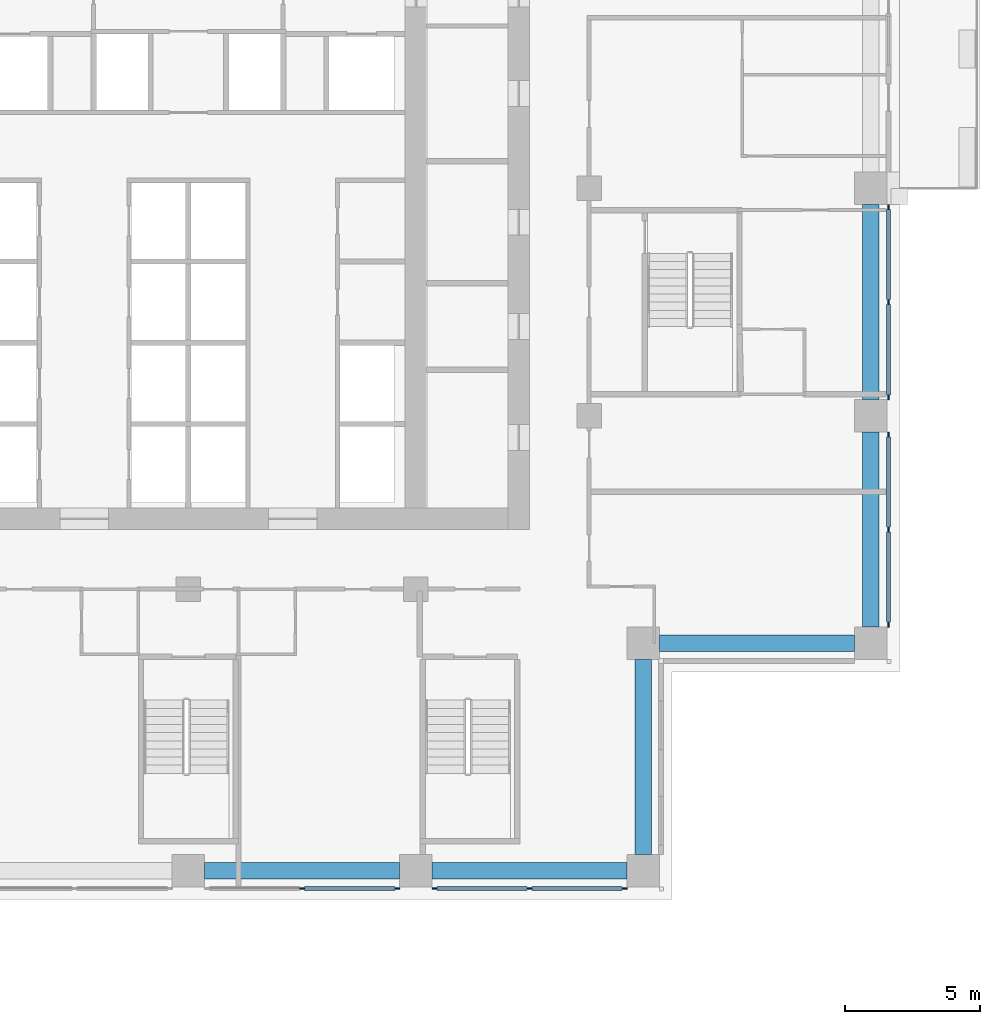
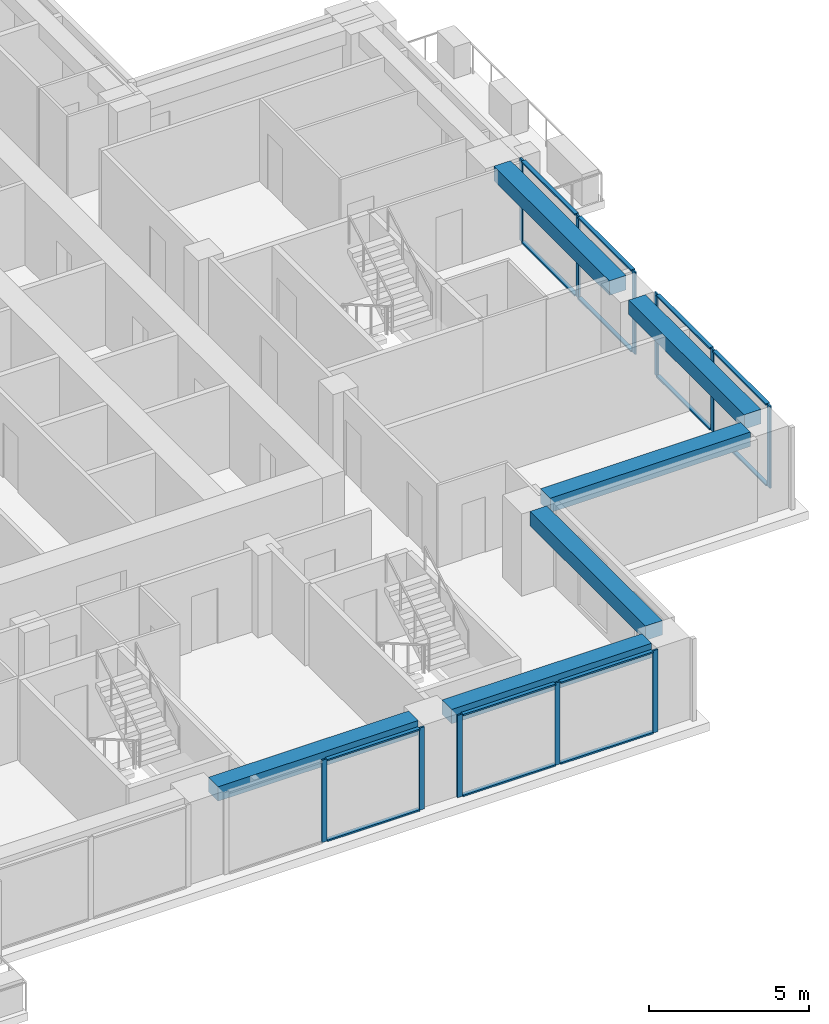
# One storey, part 4 of 17: 25 members, 6 beams, 4 elements without a shape of their own.
"""IFC4 building model written with IfcOpenShell, lengths in metres."""

from ifc_helpers import new_model, si_unit, direction, frame, origin, origin_2d, place, context, subcontext, project, spatial, rectangle, extrude, material, material_profile, profile_set, type_object, element, aggregate, save


model = new_model("IFC4")

# Units and contexts
model_context = context("Model", 3, precision=1e-05, world=origin(), true_north=direction((0.0, 1.0)))
body_context = subcontext(model_context, "Body", "Model", "MODEL_VIEW")
ifc_project = project(units=[si_unit("LENGTHUNIT", "METRE"), si_unit("AREAUNIT", "SQUARE_METRE"), si_unit("VOLUMEUNIT", "CUBIC_METRE"), si_unit("PLANEANGLEUNIT", "RADIAN"), si_unit("MASSUNIT", "GRAM", prefix="KILO")], contexts=[model_context])

# Site, building, storey
site_placement = place(None, origin())
site = spatial("IfcSite", under=ifc_project, at=site_placement, CompositionType="ELEMENT")
building_placement = place(site_placement, origin())
building = spatial("IfcBuilding", under=site, at=building_placement, Name="Vermilion Ogive Tower", CompositionType="ELEMENT")
storey_placement = place(building_placement, frame((0.0, 0.0, 87.300048828125)))
storey = spatial("IfcBuildingStorey", under=building, at=storey_placement, Name="L21", CompositionType="ELEMENT", Elevation=87.300048828125)

# Curtain wall, members
ifc_material_1 = material(Name="Low-iron laminated glazing in aluminium frame", Category="aluminium")
curtain_wall_type = type_object("IfcCurtainWallType", Name="Curtain wall CW7", PredefinedType="NOTDEFINED", material=ifc_material_1)
curtain_wall_1_placement = place(storey_placement, origin())
curtain_wall_1 = element("IfcCurtainWall", 1, at=curtain_wall_1_placement, inside=storey, type_object=curtain_wall_type, Name="Glazed skin S3", PredefinedType="NOTDEFINED")
ifc_material_2 = material(Name="Aluminium mullion", Category="aluminium")
ifc_material_profile_1 = material_profile(ifc_material_2, rectangle(XDim=0.06005859375, YDim=0.179931640625, at=origin_2d()), Name="AL 60x180")
ifc_profile_set_1 = profile_set([ifc_material_profile_1], Name="Aluminium mullion")
member_type_1 = type_object("IfcMemberType", Name="CW7 mullion 60x180", PredefinedType="MULLION", material=ifc_profile_set_1)
member_1_placement = place(storey_placement, frame((4.199951171875, -21.64990234375, 0.0), z_axis=(0.0, 0.0, 1.0), x_axis=(0.0, 1.0, 0.0)))
member_1 = element("IfcMember", 2, at=member_1_placement, type_object=member_type_1, Name="CW7-S3 mullion 2", PredefinedType="MULLION", context=body_context, shape_type="SweptSolid", body=[
    extrude(rectangle(XDim=0.06005859375, YDim=0.179931640625, at=origin_2d()), origin(), (0.0, 0.0, 1.0), 3.1298828125),
])
member_2_placement = place(storey_placement, frame((7.7099609375, -21.64990234375, 0.0), z_axis=(0.0, 0.0, 1.0), x_axis=(0.0, 1.0, 0.0)))
member_2 = element("IfcMember", 3, at=member_2_placement, type_object=member_type_1, Name="CW7-S3 mullion 3", PredefinedType="MULLION", context=body_context, shape_type="SweptSolid", body=[
    extrude(rectangle(XDim=0.06005859375, YDim=0.179931640625, at=origin_2d()), origin(), (0.0, 0.0, 1.0), 3.1298828125),
])

curtain_wall_2_placement = place(storey_placement, origin())
curtain_wall_2 = element("IfcCurtainWall", 4, at=curtain_wall_2_placement, inside=storey, type_object=curtain_wall_type, Name="Glazed skin S4", PredefinedType="NOTDEFINED")
member_3_placement = place(storey_placement, frame((9.090087890625, -21.64990234375, 0.0), z_axis=(0.0, 0.0, 1.0), x_axis=(0.0, 1.0, 0.0)))
member_3 = element("IfcMember", 5, at=member_3_placement, type_object=member_type_1, Name="CW7-S4 mullion 1", PredefinedType="MULLION", context=body_context, shape_type="SweptSolid", body=[
    extrude(rectangle(XDim=0.06005859375, YDim=0.179931640625, at=origin_2d()), origin(), (0.0, 0.0, 1.0), 3.1298828125),
])
member_4_placement = place(storey_placement, frame((12.60009765625, -21.64990234375, 0.0), z_axis=(0.0, 0.0, 1.0), x_axis=(0.0, 1.0, 0.0)))
member_4 = element("IfcMember", 6, at=member_4_placement, type_object=member_type_1, Name="CW7-S4 mullion 2", PredefinedType="MULLION", context=body_context, shape_type="SweptSolid", body=[
    extrude(rectangle(XDim=0.06005859375, YDim=0.179931640625, at=origin_2d()), origin(), (0.0, 0.0, 1.0), 3.1298828125),
])
member_5_placement = place(storey_placement, frame((16.110107421875, -21.64990234375, 0.0), z_axis=(0.0, 0.0, 1.0), x_axis=(0.0, 1.0, 0.0)))
member_5 = element("IfcMember", 7, at=member_5_placement, type_object=member_type_1, Name="CW7-S4 mullion 3", PredefinedType="MULLION", context=body_context, shape_type="SweptSolid", body=[
    extrude(rectangle(XDim=0.06005859375, YDim=0.179931640625, at=origin_2d()), origin(), (0.0, 0.0, 1.0), 3.1298828125),
])

curtain_wall_3_placement = place(storey_placement, origin())
curtain_wall_3 = element("IfcCurtainWall", 8, at=curtain_wall_3_placement, inside=storey, type_object=curtain_wall_type, Name="Glazed skin E1", PredefinedType="NOTDEFINED")
member_6_placement = place(storey_placement, frame((25.85009765625, -11.909912109375, 0.0), z_axis=(0.0, 0.0, 1.0), x_axis=(-1.0, 0.0, 0.0)))
member_6 = element("IfcMember", 9, at=member_6_placement, type_object=member_type_1, Name="CW7-E1 mullion 1", PredefinedType="MULLION", context=body_context, shape_type="SweptSolid", body=[
    extrude(rectangle(XDim=0.06005859375, YDim=0.179931640625, at=origin_2d()), origin(), (0.0, 0.0, 1.0), 3.1298828125),
])
member_7_placement = place(storey_placement, frame((25.85009765625, -8.39990234375, 0.0), z_axis=(0.0, 0.0, 1.0), x_axis=(-1.0, 0.0, 0.0)))
member_7 = element("IfcMember", 10, at=member_7_placement, type_object=member_type_1, Name="CW7-E1 mullion 2", PredefinedType="MULLION", context=body_context, shape_type="SweptSolid", body=[
    extrude(rectangle(XDim=0.06005859375, YDim=0.179931640625, at=origin_2d()), origin(), (0.0, 0.0, 1.0), 3.1298828125),
])
member_8_placement = place(storey_placement, frame((25.85009765625, -4.889892578125, 0.0), z_axis=(0.0, 0.0, 1.0), x_axis=(-1.0, 0.0, 0.0)))
member_8 = element("IfcMember", 11, at=member_8_placement, type_object=member_type_1, Name="CW7-E1 mullion 3", PredefinedType="MULLION", context=body_context, shape_type="SweptSolid", body=[
    extrude(rectangle(XDim=0.06005859375, YDim=0.179931640625, at=origin_2d()), origin(), (0.0, 0.0, 1.0), 3.1298828125),
])

curtain_wall_4_placement = place(storey_placement, origin())
curtain_wall_4 = element("IfcCurtainWall", 12, at=curtain_wall_4_placement, inside=storey, type_object=curtain_wall_type, Name="Glazed skin E2", PredefinedType="NOTDEFINED")
member_9_placement = place(storey_placement, frame((25.85009765625, -3.510009765625, 0.0), z_axis=(0.0, 0.0, 1.0), x_axis=(-1.0, 0.0, 0.0)))
member_9 = element("IfcMember", 13, at=member_9_placement, type_object=member_type_1, Name="CW7-E2 mullion 1", PredefinedType="MULLION", context=body_context, shape_type="SweptSolid", body=[
    extrude(rectangle(XDim=0.06005859375, YDim=0.179931640625, at=origin_2d()), origin(), (0.0, 0.0, 1.0), 3.1298828125),
])
member_10_placement = place(storey_placement, frame((25.85009765625, 0.0, 0.0), z_axis=(0.0, 0.0, 1.0), x_axis=(-1.0, 0.0, 0.0)))
member_10 = element("IfcMember", 14, at=member_10_placement, type_object=member_type_1, Name="CW7-E2 mullion 2", PredefinedType="MULLION", context=body_context, shape_type="SweptSolid", body=[
    extrude(rectangle(XDim=0.06005859375, YDim=0.179931640625, at=origin_2d()), origin(), (0.0, 0.0, 1.0), 3.1298828125),
])
member_11_placement = place(storey_placement, frame((25.85009765625, 3.510009765625, 0.0), z_axis=(0.0, 0.0, 1.0), x_axis=(-1.0, 0.0, 0.0)))
member_11 = element("IfcMember", 15, at=member_11_placement, type_object=member_type_1, Name="CW7-E2 mullion 3", PredefinedType="MULLION", context=body_context, shape_type="SweptSolid", body=[
    extrude(rectangle(XDim=0.06005859375, YDim=0.179931640625, at=origin_2d()), origin(), (0.0, 0.0, 1.0), 3.1298828125),
])

# Member
ifc_material_3 = material(Name="Aluminium transom", Category="aluminium")
ifc_material_profile_2 = material_profile(ifc_material_3, rectangle(XDim=0.139892578125, YDim=0.06005859375, at=origin_2d()), Name="AL 60x140")
ifc_profile_set_2 = profile_set([ifc_material_profile_2], Name="Aluminium transom")
member_type_2 = type_object("IfcMemberType", Name="CW7 transom 60x140", PredefinedType="USERDEFINED", material=ifc_profile_set_2)
member_12_placement = place(storey_placement, frame((4.2900390625, -21.64990234375, 0.030029296875), z_axis=(1.0, 0.0, 0.0), x_axis=(0.0, 1.0, 0.0)))
member_12 = element("IfcMember", 16, at=member_12_placement, type_object=member_type_2, Name="CW7-S3 transom 2.1", ObjectType="TRANSOM", PredefinedType="USERDEFINED", context=body_context, shape_type="SweptSolid", body=[
    extrude(rectangle(XDim=0.139892578125, YDim=0.06005859375, at=origin_2d()), origin(), (0.0, 0.0, 1.0), 3.330078125),
])

member_13_placement = place(storey_placement, frame((4.2900390625, -21.64990234375, 3.099853515625), z_axis=(1.0, 0.0, 0.0), x_axis=(0.0, 1.0, 0.0)))
member_13 = element("IfcMember", 17, at=member_13_placement, type_object=member_type_2, Name="CW7-S3 transom 2.2", ObjectType="TRANSOM", PredefinedType="USERDEFINED", context=body_context, shape_type="SweptSolid", body=[
    extrude(rectangle(XDim=0.139892578125, YDim=0.06005859375, at=origin_2d()), origin(), (0.0, 0.0, 1.0), 3.330078125),
])

aggregate(curtain_wall_1, [member_1, member_2, member_12, member_13])

member_14_placement = place(storey_placement, frame((9.179931640625, -21.64990234375, 0.030029296875), z_axis=(1.0, 0.0, 0.0), x_axis=(0.0, 1.0, 0.0)))
member_14 = element("IfcMember", 18, at=member_14_placement, type_object=member_type_2, Name="CW7-S4 transom 1.1", ObjectType="TRANSOM", PredefinedType="USERDEFINED", context=body_context, shape_type="SweptSolid", body=[
    extrude(rectangle(XDim=0.139892578125, YDim=0.06005859375, at=origin_2d()), origin(), (0.0, 0.0, 1.0), 3.330078125),
])

member_15_placement = place(storey_placement, frame((9.179931640625, -21.64990234375, 3.099853515625), z_axis=(1.0, 0.0, 0.0), x_axis=(0.0, 1.0, 0.0)))
member_15 = element("IfcMember", 19, at=member_15_placement, type_object=member_type_2, Name="CW7-S4 transom 1.2", ObjectType="TRANSOM", PredefinedType="USERDEFINED", context=body_context, shape_type="SweptSolid", body=[
    extrude(rectangle(XDim=0.139892578125, YDim=0.06005859375, at=origin_2d()), origin(), (0.0, 0.0, 1.0), 3.330078125),
])

member_16_placement = place(storey_placement, frame((12.68994140625, -21.64990234375, 0.030029296875), z_axis=(1.0, 0.0, 0.0), x_axis=(0.0, 1.0, 0.0)))
member_16 = element("IfcMember", 20, at=member_16_placement, type_object=member_type_2, Name="CW7-S4 transom 2.1", ObjectType="TRANSOM", PredefinedType="USERDEFINED", context=body_context, shape_type="SweptSolid", body=[
    extrude(rectangle(XDim=0.139892578125, YDim=0.06005859375, at=origin_2d()), origin(), (0.0, 0.0, 1.0), 3.330078125),
])

member_17_placement = place(storey_placement, frame((12.68994140625, -21.64990234375, 3.099853515625), z_axis=(1.0, 0.0, 0.0), x_axis=(0.0, 1.0, 0.0)))
member_17 = element("IfcMember", 21, at=member_17_placement, type_object=member_type_2, Name="CW7-S4 transom 2.2", ObjectType="TRANSOM", PredefinedType="USERDEFINED", context=body_context, shape_type="SweptSolid", body=[
    extrude(rectangle(XDim=0.139892578125, YDim=0.06005859375, at=origin_2d()), origin(), (0.0, 0.0, 1.0), 3.330078125),
])

aggregate(curtain_wall_2, [member_3, member_4, member_5, member_14, member_15, member_16, member_17])

member_18_placement = place(storey_placement, frame((25.85009765625, -11.820068359375, 0.030029296875), z_axis=(0.0, 1.0, 0.0), x_axis=(-1.0, 0.0, 0.0)))
member_18 = element("IfcMember", 22, at=member_18_placement, type_object=member_type_2, Name="CW7-E1 transom 1.1", ObjectType="TRANSOM", PredefinedType="USERDEFINED", context=body_context, shape_type="SweptSolid", body=[
    extrude(rectangle(XDim=0.139892578125, YDim=0.06005859375, at=origin_2d()), origin(), (0.0, 0.0, 1.0), 3.330078125),
])

member_19_placement = place(storey_placement, frame((25.85009765625, -11.820068359375, 3.099853515625), z_axis=(0.0, 1.0, 0.0), x_axis=(-1.0, 0.0, 0.0)))
member_19 = element("IfcMember", 23, at=member_19_placement, type_object=member_type_2, Name="CW7-E1 transom 1.2", ObjectType="TRANSOM", PredefinedType="USERDEFINED", context=body_context, shape_type="SweptSolid", body=[
    extrude(rectangle(XDim=0.139892578125, YDim=0.06005859375, at=origin_2d()), origin(), (0.0, 0.0, 1.0), 3.330078125),
])

member_20_placement = place(storey_placement, frame((25.85009765625, -8.31005859375, 0.030029296875), z_axis=(0.0, 1.0, 0.0), x_axis=(-1.0, 0.0, 0.0)))
member_20 = element("IfcMember", 24, at=member_20_placement, type_object=member_type_2, Name="CW7-E1 transom 2.1", ObjectType="TRANSOM", PredefinedType="USERDEFINED", context=body_context, shape_type="SweptSolid", body=[
    extrude(rectangle(XDim=0.139892578125, YDim=0.06005859375, at=origin_2d()), origin(), (0.0, 0.0, 1.0), 3.330078125),
])

member_21_placement = place(storey_placement, frame((25.85009765625, -8.31005859375, 3.099853515625), z_axis=(0.0, 1.0, 0.0), x_axis=(-1.0, 0.0, 0.0)))
member_21 = element("IfcMember", 25, at=member_21_placement, type_object=member_type_2, Name="CW7-E1 transom 2.2", ObjectType="TRANSOM", PredefinedType="USERDEFINED", context=body_context, shape_type="SweptSolid", body=[
    extrude(rectangle(XDim=0.139892578125, YDim=0.06005859375, at=origin_2d()), origin(), (0.0, 0.0, 1.0), 3.330078125),
])

aggregate(curtain_wall_3, [member_6, member_7, member_8, member_18, member_19, member_20, member_21])

member_22_placement = place(storey_placement, frame((25.85009765625, -3.419921875, 0.030029296875), z_axis=(0.0, 1.0, 0.0), x_axis=(-1.0, 0.0, 0.0)))
member_22 = element("IfcMember", 26, at=member_22_placement, type_object=member_type_2, Name="CW7-E2 transom 1.1", ObjectType="TRANSOM", PredefinedType="USERDEFINED", context=body_context, shape_type="SweptSolid", body=[
    extrude(rectangle(XDim=0.139892578125, YDim=0.06005859375, at=origin_2d()), origin(), (0.0, 0.0, 1.0), 3.329833984375),
])

member_23_placement = place(storey_placement, frame((25.85009765625, -3.419921875, 3.099853515625), z_axis=(0.0, 1.0, 0.0), x_axis=(-1.0, 0.0, 0.0)))
member_23 = element("IfcMember", 27, at=member_23_placement, type_object=member_type_2, Name="CW7-E2 transom 1.2", ObjectType="TRANSOM", PredefinedType="USERDEFINED", context=body_context, shape_type="SweptSolid", body=[
    extrude(rectangle(XDim=0.139892578125, YDim=0.06005859375, at=origin_2d()), origin(), (0.0, 0.0, 1.0), 3.329833984375),
])

member_24_placement = place(storey_placement, frame((25.85009765625, 0.090087890625, 0.030029296875), z_axis=(0.0, 1.0, 0.0), x_axis=(-1.0, 0.0, 0.0)))
member_24 = element("IfcMember", 28, at=member_24_placement, type_object=member_type_2, Name="CW7-E2 transom 2.1", ObjectType="TRANSOM", PredefinedType="USERDEFINED", context=body_context, shape_type="SweptSolid", body=[
    extrude(rectangle(XDim=0.139892578125, YDim=0.06005859375, at=origin_2d()), origin(), (0.0, 0.0, 1.0), 3.329833984375),
])

member_25_placement = place(storey_placement, frame((25.85009765625, 0.090087890625, 3.099853515625), z_axis=(0.0, 1.0, 0.0), x_axis=(-1.0, 0.0, 0.0)))
member_25 = element("IfcMember", 29, at=member_25_placement, type_object=member_type_2, Name="CW7-E2 transom 2.2", ObjectType="TRANSOM", PredefinedType="USERDEFINED", context=body_context, shape_type="SweptSolid", body=[
    extrude(rectangle(XDim=0.139892578125, YDim=0.06005859375, at=origin_2d()), origin(), (0.0, 0.0, 1.0), 3.329833984375),
])

aggregate(curtain_wall_4, [member_9, member_10, member_11, member_22, member_23, member_24, member_25])

# Beams
ifc_material_4 = material(Name="Concrete B45", Category="concrete")
ifc_material_profile_3 = material_profile(ifc_material_4, rectangle(XDim=0.60009765625, YDim=0.550048828125, at=origin_2d()), Name="600 x 550")
ifc_profile_set_3 = profile_set([ifc_material_profile_3], Name="Concrete B45")
beam_type = type_object("IfcBeamType", Name="Edge beam 600 x 550 B45", PredefinedType="BEAM", material=ifc_profile_set_3)
for number, where, z_axis, x_axis, name in (
    (30, (0.60009765625, -21.0, 2.85498046875), (1.0, 0.0, 0.0), (0.0, 1.0, 0.0), "L21-EB-3"),
    (31, (9.0, -21.0, 2.85498046875), (1.0, 0.0, 0.0), (0.0, 1.0, 0.0), "L21-EB-4"),
    (32, (16.800048828125, -20.39990234375, 2.85498046875), (0.0, 1.0, 0.0), (-1.0, 0.0, 0.0), "L21-EB-5"),
):
    element("IfcBeam", number, at=place(storey_placement, frame(where, z_axis=z_axis, x_axis=x_axis)), inside=storey, type_object=beam_type, Name=name, PredefinedType="BEAM", context=body_context, shape_type="SweptSolid", body=[
        extrude(rectangle(XDim=0.60009765625, YDim=0.550048828125, at=origin_2d()), origin(), (0.0, 0.0, 1.0), 7.199951171875),
    ])
beam_1_placement = place(storey_placement, frame((17.39990234375, -12.60009765625, 2.85498046875), z_axis=(1.0, 0.0, 0.0), x_axis=(0.0, 1.0, 0.0)))
element("IfcBeam", 33, at=beam_1_placement, inside=storey, type_object=beam_type, Name="L21-EB-6", PredefinedType="BEAM", context=body_context, shape_type="SweptSolid", body=[
    extrude(rectangle(XDim=0.60009765625, YDim=0.550048828125, at=origin_2d()), origin(), (0.0, 0.0, 1.0), 7.2001953125),
])
beam_2_placement = place(storey_placement, frame((25.199951171875, -12.0, 2.85498046875), z_axis=(0.0, 1.0, 0.0), x_axis=(-1.0, 0.0, 0.0)))
element("IfcBeam", 34, at=beam_2_placement, inside=storey, type_object=beam_type, Name="L21-EB-7", PredefinedType="BEAM", context=body_context, shape_type="SweptSolid", body=[
    extrude(rectangle(XDim=0.60009765625, YDim=0.550048828125, at=origin_2d()), origin(), (0.0, 0.0, 1.0), 7.199951171875),
])
beam_3_placement = place(storey_placement, frame((25.199951171875, -3.60009765625, 2.85498046875), z_axis=(0.0, 1.0, 0.0), x_axis=(-1.0, 0.0, 0.0)))
element("IfcBeam", 35, at=beam_3_placement, inside=storey, type_object=beam_type, Name="L21-EB-8", PredefinedType="BEAM", context=body_context, shape_type="SweptSolid", body=[
    extrude(rectangle(XDim=0.60009765625, YDim=0.550048828125, at=origin_2d()), origin(), (0.0, 0.0, 1.0), 7.2001953125),
])

save(model, "model.ifc")
